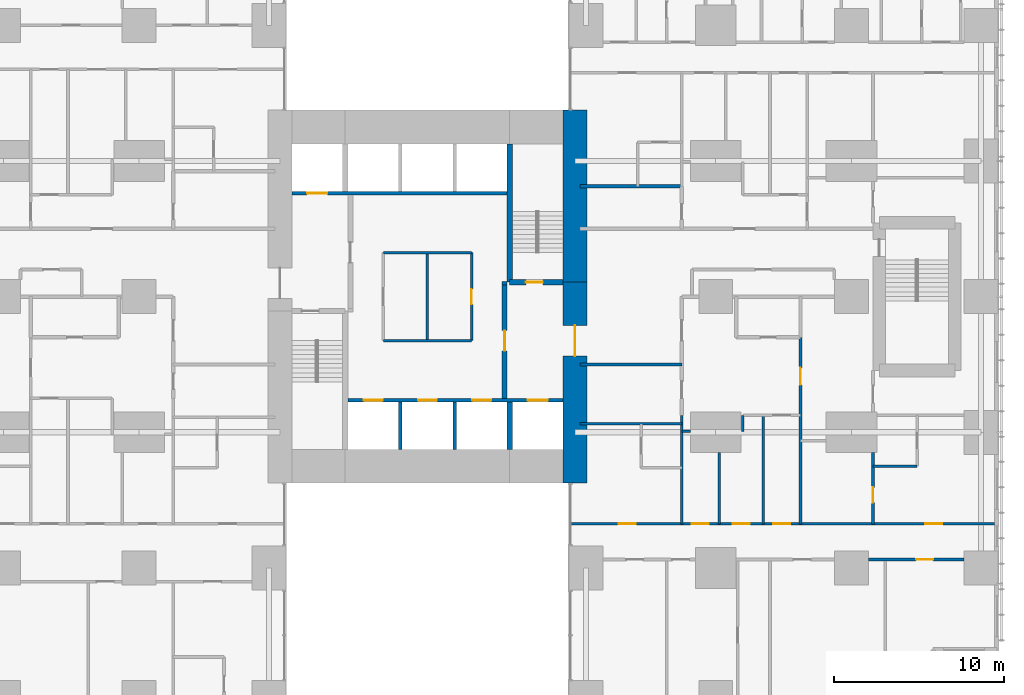
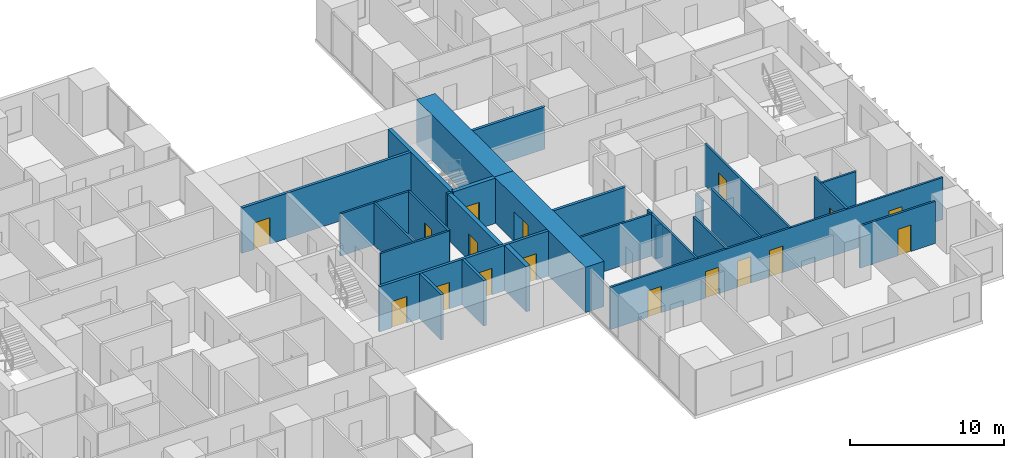
# One storey, part 15 of 21: 28 walls, 17 doors, 17 openings.
"""IFC4 building model written with IfcOpenShell, lengths in metres."""

from ifc_helpers import new_model, si_unit, direction, frame, frame_2d, origin, place, context, subcontext, project, spatial, rectangle, extrude, material, layer, layer_set, type_object, element, fill, save


model = new_model("IFC4")

# Units and contexts
model_context = context("Model", 3, precision=1e-05, world=origin(), true_north=direction((0.0, 1.0)))
body_context = subcontext(model_context, "Body", "Model", "MODEL_VIEW")
ifc_project = project(units=[si_unit("LENGTHUNIT", "METRE"), si_unit("AREAUNIT", "SQUARE_METRE"), si_unit("VOLUMEUNIT", "CUBIC_METRE"), si_unit("PLANEANGLEUNIT", "RADIAN"), si_unit("MASSUNIT", "GRAM", prefix="KILO")], contexts=[model_context])

# Site, building, storey
site_placement = place(None, origin())
site = spatial("IfcSite", under=ifc_project, at=site_placement, CompositionType="ELEMENT")
building_placement = place(site_placement, origin())
building = spatial("IfcBuilding", under=site, at=building_placement, Name="Cleftline Residences", CompositionType="ELEMENT")
storey_placement = place(building_placement, frame((0.0, 0.0, 65.60009765625)))
storey = spatial("IfcBuildingStorey", under=building, at=storey_placement, Name="L16", CompositionType="ELEMENT", Elevation=65.60009765625)

# Wall, opening, door
ifc_material_1 = material(Name="Concrete B70", Category="concrete")
ifc_layer_1 = layer(ifc_material_1, 1.39990234375)
ifc_layer_set_1 = layer_set([ifc_layer_1], Name="CORE WALL 1400")
wall_type_1 = type_object("IfcWallType", Name="CORE WALL 1400", PredefinedType="SHEAR", material=ifc_layer_set_1)
wall_1_placement = place(storey_placement, frame((41.699951171875, 13.0, 0.0), z_axis=(0.0, 0.0, 1.0), x_axis=(0.0, 1.0, 0.0)))
wall_1 = element("IfcWall", 1, at=wall_1_placement, inside=storey, type_object=wall_type_1, Name="Core wall E", PredefinedType="SHEAR", context=body_context, shape_type="SweptSolid", body=[
    extrude(rectangle(XDim=11.85009765625, YDim=1.39990234375, at=frame_2d((5.925048828125, 0.0))), origin(), (0.0, 0.0, 1.0), 3.599853515625),
])
opening_1_placement = place(wall_1_placement, frame((7.5, 0.0, 0.0)))
opening_1 = element("IfcOpeningElement", 2, at=opening_1_placement, cuts=wall_1, Name="Opening D7", PredefinedType="OPENING", context=body_context, shape_type="SweptSolid", body=[
    extrude(rectangle(XDim=1.800048828125, YDim=2.39990234375, at=frame_2d((0.89990234375, 1.199951171875))), frame((0.0, 0.7099609375, 0.0), z_axis=(0.0, -1.0, 0.0), x_axis=(1.0, 0.0, 0.0)), (0.0, 0.0, 1.0), 1.419921875),
])
ifc_material_2 = material(Name="Steel", Category="steel")
door_type_1 = type_object("IfcDoorType", Name="WING DOOR 1800X2400", OperationType="DOUBLE_DOOR_DOUBLE_SWING", PredefinedType="DOOR", material=ifc_material_2)
door_1_placement = place(opening_1_placement, origin())
door_1 = element("IfcDoor", 3, at=door_1_placement, inside=storey, type_object=door_type_1, Name="East wing door", OperationType="DOUBLE_DOOR_DOUBLE_SWING", OverallHeight=2.39990234375, OverallWidth=1.800048828125, PredefinedType="DOOR", context=body_context, shape_type="SweptSolid", body=[
    extrude(rectangle(XDim=1.800048828125, YDim=2.39990234375, at=frame_2d((0.89990234375, 1.199951171875))), frame((0.0, 0.02490234375, 0.0), z_axis=(0.0, -1.0, 0.0), x_axis=(1.0, 0.0, 0.0)), (0.0, 0.0, 1.0), 0.050048828125),
])
fill(opening_1, door_1)

# Walls
wall_2_placement = place(storey_placement, frame((41.699951171875, 24.85009765625, 0.0), z_axis=(0.0, 0.0, 1.0), x_axis=(0.0, 1.0, 0.0)))
element("IfcWall", 4, at=wall_2_placement, inside=storey, type_object=wall_type_1, Name="Core wall E1", PredefinedType="SHEAR", context=body_context, shape_type="SweptSolid", body=[
    extrude(rectangle(XDim=10.14990234375, YDim=1.39990234375, at=frame_2d((5.074951171875, 0.0))), origin(), (0.0, 0.0, 1.0), 3.599853515625),
])
ifc_material_3 = material(Name="Concrete B70", Category="concrete")
ifc_layer_2 = layer(ifc_material_3, 0.300048828125)
ifc_layer_set_2 = layer_set([ifc_layer_2], Name="CORE WALL 300")
wall_type_2 = type_object("IfcWallType", Name="CORE WALL 300", PredefinedType="SHEAR", material=ifc_layer_set_2)
wall_3_placement = place(storey_placement, frame((37.85009765625, 24.85009765625, 0.0), z_axis=(0.0, 0.0, 1.0), x_axis=(0.0, 1.0, 0.0)))
element("IfcWall", 5, at=wall_3_placement, inside=storey, type_object=wall_type_2, Name="Core wall SB-W", PredefinedType="SHEAR", context=body_context, shape_type="SweptSolid", body=[
    extrude(rectangle(XDim=8.14990234375, YDim=0.300048828125, at=frame_2d((4.074951171875, 0.0))), origin(), (0.0, 0.0, 1.0), 3.599853515625),
])

# Wall, opening, door
wall_4_placement = place(storey_placement, frame((37.85009765625, 24.85009765625, 0.0), z_axis=(0.0, 0.0, 1.0), x_axis=(1.0, 0.0, 0.0)))
wall_4 = element("IfcWall", 6, at=wall_4_placement, inside=storey, type_object=wall_type_2, Name="Core wall SB-S", PredefinedType="SHEAR", context=body_context, shape_type="SweptSolid", body=[
    extrude(rectangle(XDim=3.14990234375, YDim=0.300048828125, at=frame_2d((1.574951171875, 0.0))), origin(), (0.0, 0.0, 1.0), 3.599853515625),
])
opening_2_placement = place(wall_4_placement, frame((0.949951171875, 0.0, 0.0)))
opening_2 = element("IfcOpeningElement", 7, at=opening_2_placement, cuts=wall_4, Name="Opening D5", PredefinedType="OPENING", context=body_context, shape_type="SweptSolid", body=[
    extrude(rectangle(XDim=1.0, YDim=2.10009765625, at=frame_2d((0.5, 1.050048828125))), frame((0.0, 0.159912109375, 0.0), z_axis=(0.0, -1.0, 0.0), x_axis=(1.0, 0.0, 0.0)), (0.0, 0.0, 1.0), 0.320068359375),
])
ifc_material_4 = material(Name="Steel", Category="steel")
door_type_2 = type_object("IfcDoorType", Name="STAIR DOOR 1000X2100", OperationType="SINGLE_SWING_LEFT", PredefinedType="DOOR", material=ifc_material_4)
door_2_placement = place(opening_2_placement, origin())
door_2 = element("IfcDoor", 8, at=door_2_placement, inside=storey, type_object=door_type_2, Name="Stair B door", OperationType="SINGLE_SWING_RIGHT", OverallHeight=2.10009765625, OverallWidth=1.0, PredefinedType="DOOR", context=body_context, shape_type="SweptSolid", body=[
    extrude(rectangle(XDim=1.0, YDim=2.10009765625, at=frame_2d((0.5, 1.050048828125))), frame((0.0, 0.02490234375, 0.0), z_axis=(0.0, -1.0, 0.0), x_axis=(1.0, 0.0, 0.0)), (0.0, 0.0, 1.0), 0.050048828125),
])
fill(opening_2, door_2)

# Walls
wall_5_placement = place(storey_placement, frame((37.85009765625, 15.0, 0.0), z_axis=(0.0, 0.0, 1.0), x_axis=(0.0, 1.0, 0.0)))
element("IfcWall", 9, at=wall_5_placement, inside=storey, type_object=wall_type_2, Name="Lift shaft wall", PredefinedType="SHEAR", context=body_context, shape_type="SweptSolid", body=[
    extrude(rectangle(XDim=2.800048828125, YDim=0.300048828125, at=frame_2d((1.39990234375, 0.0))), origin(), (0.0, 0.0, 1.0), 3.599853515625),
])
ifc_material_5 = material(Name="Concrete blockwork, fire rated", Category="masonry")
ifc_layer_3 = layer(ifc_material_5, 0.199951171875)
ifc_layer_set_3 = layer_set([ifc_layer_3], Name="FIRE WALL 200")
wall_type_3 = type_object("IfcWallType", Name="FIRE WALL 200", PredefinedType="PARTITIONING", material=ifc_layer_set_3)
for number, where, z_axis, x_axis, name in (
    (10, (42.0, 20.0, 0.0), (0.0, 0.0, 1.0), (1.0, 0.0, 0.0), "Fire separating wall"),
    (11, (42.0, 30.5, 0.0), (0.0, 0.0, 1.0), (1.0, 0.0, 0.0), "Fire separating wall"),
):
    element("IfcWall", number, at=place(storey_placement, frame(where, z_axis=z_axis, x_axis=x_axis)), inside=storey, type_object=wall_type_3, Name=name, PredefinedType="PARTITIONING", context=body_context, shape_type="SweptSolid", body=[
        extrude(rectangle(XDim=6.0, YDim=0.199951171875, at=frame_2d((3.0, 0.0))), origin(), (0.0, 0.0, 1.0), 3.349853515625),
    ])
wall_6_placement = place(storey_placement, frame((37.39990234375, 24.800048828125, 0.0), z_axis=(0.0, 0.0, 1.0), x_axis=(1.0, 0.0, 0.0)))
element("IfcWall", 12, at=wall_6_placement, inside=storey, type_object=wall_type_3, Name="Fire separating wall", PredefinedType="PARTITIONING", context=body_context, shape_type="SweptSolid", body=[
    extrude(rectangle(XDim=0.300048828125, YDim=0.199951171875, at=frame_2d((0.14990234375, 0.0))), origin(), (0.0, 0.0, 1.0), 3.599853515625),
])

# Wall, opening, door
ifc_material_6 = material(Name="Gypsum board on steel studs", Category="steel")
ifc_layer_4 = layer(ifc_material_6, 0.14990234375)
ifc_layer_set_4 = layer_set([ifc_layer_4], Name="PARTITION 150")
wall_type_4 = type_object("IfcWallType", Name="PARTITION 150", PredefinedType="PARTITIONING", material=ifc_layer_set_4)
wall_7_placement = place(storey_placement, frame((59.0, 8.5, 0.0), z_axis=(0.0, 0.0, 1.0), x_axis=(1.0, 0.0, 0.0)))
wall_7 = element("IfcWall", 13, at=wall_7_placement, inside=storey, type_object=wall_type_4, Name="Partition", PredefinedType="PARTITIONING", context=body_context, shape_type="SweptSolid", body=[
    extrude(rectangle(XDim=5.64990234375, YDim=0.14990234375, at=frame_2d((2.824951171875, 0.0))), origin(), (0.0, 0.0, 1.0), 3.349853515625),
])
opening_3_placement = place(wall_7_placement, frame((2.824951171875, 0.0, 0.0)))
opening_3 = element("IfcOpeningElement", 14, at=opening_3_placement, cuts=wall_7, Name="Opening D2", PredefinedType="OPENING", context=body_context, shape_type="SweptSolid", body=[
    extrude(rectangle(XDim=1.0, YDim=2.10009765625, at=frame_2d((0.5, 1.050048828125))), frame((0.0, 0.0849609375, 0.0), z_axis=(0.0, -1.0, 0.0), x_axis=(1.0, 0.0, 0.0)), (0.0, 0.0, 1.0), 0.169921875),
])
ifc_material_7 = material(Name="Timber veneer on solid core", Category="wood")
door_type_3 = type_object("IfcDoorType", Name="DOOR 1000X2100", OperationType="SINGLE_SWING_LEFT", PredefinedType="DOOR", material=ifc_material_7)
door_3_placement = place(opening_3_placement, origin())
door_3 = element("IfcDoor", 15, at=door_3_placement, inside=storey, type_object=door_type_3, Name="Door to winter garden", OperationType="SINGLE_SWING_LEFT", OverallHeight=2.10009765625, OverallWidth=1.0, PredefinedType="DOOR", context=body_context, shape_type="SweptSolid", body=[
    extrude(rectangle(XDim=1.0, YDim=2.10009765625, at=frame_2d((0.5, 1.050048828125))), frame((0.0, 0.02490234375, 0.0), z_axis=(0.0, -1.0, 0.0), x_axis=(1.0, 0.0, 0.0)), (0.0, 0.0, 1.0), 0.050048828125),
])
fill(opening_3, door_3)

# Wall, openings, doors
wall_8_placement = place(storey_placement, frame((41.43896484375, 10.60009765625, 0.0), z_axis=(0.0, 0.0, 1.0), x_axis=(1.0, 0.0, 0.0)))
wall_8 = element("IfcWall", 16, at=wall_8_placement, inside=storey, type_object=wall_type_4, Name="Partition", PredefinedType="PARTITIONING", context=body_context, shape_type="SweptSolid", body=[
    extrude(rectangle(XDim=25.010986328125, YDim=0.14990234375, at=frame_2d((12.50537109375, 0.0))), origin(), (0.0, 0.0, 1.0), 3.349853515625),
])
opening_4_placement = place(wall_8_placement, frame((11.9609375, 0.0, 0.0)))
opening_4 = element("IfcOpeningElement", 17, at=opening_4_placement, cuts=wall_8, Name="Opening D2F30", PredefinedType="OPENING", context=body_context, shape_type="SweptSolid", body=[
    extrude(rectangle(XDim=1.0, YDim=2.10009765625, at=frame_2d((0.5, 1.050048828125))), frame((0.0, 0.0849609375, 0.0), z_axis=(0.0, -1.0, 0.0), x_axis=(1.0, 0.0, 0.0)), (0.0, 0.0, 1.0), 0.169921875),
])
opening_5_placement = place(wall_8_placement, frame((20.923583984375, 0.0, 0.0)))
opening_5 = element("IfcOpeningElement", 18, at=opening_5_placement, cuts=wall_8, Name="Opening D2F30", PredefinedType="OPENING", context=body_context, shape_type="SweptSolid", body=[
    extrude(rectangle(XDim=1.0, YDim=2.10009765625, at=frame_2d((0.5, 1.050048828125))), frame((0.0, 0.0849609375, 0.0), z_axis=(0.0, -1.0, 0.0), x_axis=(1.0, 0.0, 0.0)), (0.0, 0.0, 1.0), 0.169921875),
])
opening_6_placement = place(wall_8_placement, frame((9.56103515625, 0.0, 0.0)))
opening_6 = element("IfcOpeningElement", 19, at=opening_6_placement, cuts=wall_8, Name="Opening D2F30", PredefinedType="OPENING", context=body_context, shape_type="SweptSolid", body=[
    extrude(rectangle(XDim=1.0, YDim=2.10009765625, at=frame_2d((0.5, 1.050048828125))), frame((0.0, 0.0849609375, 0.0), z_axis=(0.0, -1.0, 0.0), x_axis=(1.0, 0.0, 0.0)), (0.0, 0.0, 1.0), 0.169921875),
])
opening_7_placement = place(wall_8_placement, frame((7.160888671875, 0.0, 0.0)))
opening_7 = element("IfcOpeningElement", 20, at=opening_7_placement, cuts=wall_8, Name="Opening D2F30", PredefinedType="OPENING", context=body_context, shape_type="SweptSolid", body=[
    extrude(rectangle(XDim=1.0, YDim=2.10009765625, at=frame_2d((0.5, 1.050048828125))), frame((0.0, 0.0849609375, 0.0), z_axis=(0.0, -1.0, 0.0), x_axis=(1.0, 0.0, 0.0)), (0.0, 0.0, 1.0), 0.169921875),
])
opening_8_placement = place(wall_8_placement, frame((2.8359375, 0.0, 0.0)))
opening_8 = element("IfcOpeningElement", 21, at=opening_8_placement, cuts=wall_8, Name="Opening D2F30", PredefinedType="OPENING", context=body_context, shape_type="SweptSolid", body=[
    extrude(rectangle(XDim=1.0, YDim=2.10009765625, at=frame_2d((0.5, 1.050048828125))), frame((0.0, 0.0849609375, 0.0), z_axis=(0.0, -1.0, 0.0), x_axis=(1.0, 0.0, 0.0)), (0.0, 0.0, 1.0), 0.169921875),
])
ifc_material_8 = material(Name="Timber veneer on solid core", Category="wood")
door_type_4 = type_object("IfcDoorType", Name="DOOR 1000X2100 EI 30", OperationType="SINGLE_SWING_LEFT", PredefinedType="DOOR", material=ifc_material_8)
door_4_placement = place(opening_4_placement, origin())
door_4 = element("IfcDoor", 22, at=door_4_placement, inside=storey, type_object=door_type_4, Name="Door to residence hall (gallery)", OperationType="SINGLE_SWING_RIGHT", OverallHeight=2.10009765625, OverallWidth=1.0, PredefinedType="DOOR", context=body_context, shape_type="SweptSolid", body=[
    extrude(rectangle(XDim=1.0, YDim=2.10009765625, at=frame_2d((0.5, 1.050048828125))), frame((0.0, 0.02490234375, 0.0), z_axis=(0.0, -1.0, 0.0), x_axis=(1.0, 0.0, 0.0)), (0.0, 0.0, 1.0), 0.050048828125),
])
fill(opening_4, door_4)
door_5_placement = place(opening_5_placement, origin())
door_5 = element("IfcDoor", 23, at=door_5_placement, inside=storey, type_object=door_type_4, Name="Door to master bedroom", OperationType="SINGLE_SWING_LEFT", OverallHeight=2.10009765625, OverallWidth=1.0, PredefinedType="DOOR", context=body_context, shape_type="SweptSolid", body=[
    extrude(rectangle(XDim=1.0, YDim=2.10009765625, at=frame_2d((0.5, 1.050048828125))), frame((0.0, 0.02490234375, 0.0), z_axis=(0.0, -1.0, 0.0), x_axis=(1.0, 0.0, 0.0)), (0.0, 0.0, 1.0), 0.050048828125),
])
fill(opening_5, door_5)
door_6_placement = place(opening_6_placement, origin())
door_6 = element("IfcDoor", 24, at=door_6_placement, inside=storey, type_object=door_type_4, Name="Door to dining room", OperationType="SINGLE_SWING_RIGHT", OverallHeight=2.10009765625, OverallWidth=1.0, PredefinedType="DOOR", context=body_context, shape_type="SweptSolid", body=[
    extrude(rectangle(XDim=1.0, YDim=2.10009765625, at=frame_2d((0.5, 1.050048828125))), frame((0.0, 0.02490234375, 0.0), z_axis=(0.0, -1.0, 0.0), x_axis=(1.0, 0.0, 0.0)), (0.0, 0.0, 1.0), 0.050048828125),
])
fill(opening_6, door_6)
door_7_placement = place(opening_7_placement, origin())
door_7 = element("IfcDoor", 25, at=door_7_placement, inside=storey, type_object=door_type_4, Name="Door to show kitchen", OperationType="SINGLE_SWING_RIGHT", OverallHeight=2.10009765625, OverallWidth=1.0, PredefinedType="DOOR", context=body_context, shape_type="SweptSolid", body=[
    extrude(rectangle(XDim=1.0, YDim=2.10009765625, at=frame_2d((0.5, 1.050048828125))), frame((0.0, 0.02490234375, 0.0), z_axis=(0.0, -1.0, 0.0), x_axis=(1.0, 0.0, 0.0)), (0.0, 0.0, 1.0), 0.050048828125),
])
fill(opening_7, door_7)
door_8_placement = place(opening_8_placement, origin())
door_8 = element("IfcDoor", 26, at=door_8_placement, inside=storey, type_object=door_type_4, Name="Door to bedroom 3", OperationType="SINGLE_SWING_RIGHT", OverallHeight=2.10009765625, OverallWidth=1.0, PredefinedType="DOOR", context=body_context, shape_type="SweptSolid", body=[
    extrude(rectangle(XDim=1.0, YDim=2.10009765625, at=frame_2d((0.5, 1.050048828125))), frame((0.0, 0.02490234375, 0.0), z_axis=(0.0, -1.0, 0.0), x_axis=(1.0, 0.0, 0.0)), (0.0, 0.0, 1.0), 0.050048828125),
])
fill(opening_8, door_8)

# Walls
wall_9_placement = place(storey_placement, frame((59.27490234375, 14.0, 0.0), z_axis=(0.0, 0.0, 1.0), x_axis=(1.0, 0.0, 0.0)))
element("IfcWall", 27, at=wall_9_placement, inside=storey, type_object=wall_type_4, Name="Partition", PredefinedType="PARTITIONING", context=body_context, shape_type="SweptSolid", body=[
    extrude(rectangle(XDim=2.60009765625, YDim=0.14990234375, at=frame_2d((1.300048828125, 0.0))), origin(), (0.0, 0.0, 1.0), 3.349853515625),
])
wall_10_placement = place(storey_placement, frame((48.0, 16.050048828125, 0.0), z_axis=(0.0, 0.0, 1.0), x_axis=(1.0, 0.0, 0.0)))
element("IfcWall", 28, at=wall_10_placement, inside=storey, type_object=wall_type_4, Name="Partition", PredefinedType="PARTITIONING", context=body_context, shape_type="SweptSolid", body=[
    extrude(rectangle(XDim=0.5, YDim=0.14990234375, at=frame_2d((0.25, 0.0))), origin(), (0.0, 0.0, 1.0), 2.6337890625),
])
wall_11_placement = place(storey_placement, frame((42.0, 16.5, 0.0), z_axis=(0.0, 0.0, 1.0), x_axis=(1.0, 0.0, 0.0)))
element("IfcWall", 29, at=wall_11_placement, inside=storey, type_object=wall_type_4, Name="Partition", PredefinedType="PARTITIONING", context=body_context, shape_type="SweptSolid", body=[
    extrude(rectangle(XDim=6.0, YDim=0.14990234375, at=frame_2d((3.0, 0.0))), origin(), (0.0, 0.0, 1.0), 3.349853515625),
])
wall_12_placement = place(storey_placement, frame((48.0, 10.60009765625, 0.0), z_axis=(0.0, 0.0, 1.0), x_axis=(0.0, 1.0, 0.0)))
element("IfcWall", 30, at=wall_12_placement, inside=storey, type_object=wall_type_4, Name="Partition", PredefinedType="PARTITIONING", context=body_context, shape_type="SweptSolid", body=[
    extrude(rectangle(XDim=6.39990234375, YDim=0.14990234375, at=frame_2d((3.199951171875, 0.0))), origin(), (0.0, 0.0, 1.0), 3.349853515625),
])
wall_13_placement = place(storey_placement, frame((50.199951171875, 10.60009765625, 0.0), z_axis=(0.0, 0.0, 1.0), x_axis=(0.0, 1.0, 0.0)))
element("IfcWall", 31, at=wall_13_placement, inside=storey, type_object=wall_type_4, Name="Partition", PredefinedType="PARTITIONING", context=body_context, shape_type="SweptSolid", body=[
    extrude(rectangle(XDim=4.199951171875, YDim=0.14990234375, at=frame_2d((2.10009765625, 0.0))), origin(), (0.0, 0.0, 1.0), 3.349853515625),
])
wall_14_placement = place(storey_placement, frame((51.60009765625, 16.050048828125, 0.0), z_axis=(0.0, 0.0, 1.0), x_axis=(0.0, 1.0, 0.0)))
element("IfcWall", 32, at=wall_14_placement, inside=storey, type_object=wall_type_4, Name="Partition", PredefinedType="PARTITIONING", context=body_context, shape_type="SweptSolid", body=[
    extrude(rectangle(XDim=0.949951171875, YDim=0.14990234375, at=frame_2d((0.47509765625, 0.0))), origin(), (0.0, 0.0, 1.0), 3.349853515625),
])
wall_15_placement = place(storey_placement, frame((52.800048828125, 10.60009765625, 0.0), z_axis=(0.0, 0.0, 1.0), x_axis=(0.0, 1.0, 0.0)))
element("IfcWall", 33, at=wall_15_placement, inside=storey, type_object=wall_type_4, Name="Partition", PredefinedType="PARTITIONING", context=body_context, shape_type="SweptSolid", body=[
    extrude(rectangle(XDim=6.39990234375, YDim=0.14990234375, at=frame_2d((3.199951171875, 0.0))), origin(), (0.0, 0.0, 1.0), 3.349853515625),
])

# Wall, opening, door
wall_16_placement = place(storey_placement, frame((55.0, 10.60009765625, 0.0), z_axis=(0.0, 0.0, 1.0), x_axis=(0.0, 1.0, 0.0)))
wall_16 = element("IfcWall", 34, at=wall_16_placement, inside=storey, type_object=wall_type_4, Name="Partition", PredefinedType="PARTITIONING", context=body_context, shape_type="SweptSolid", body=[
    extrude(rectangle(XDim=11.0, YDim=0.14990234375, at=frame_2d((5.5, 0.0))), origin(), (0.0, 0.0, 1.0), 3.349853515625),
])
opening_9_placement = place(wall_16_placement, frame((8.199951171875, 0.0, 0.0)))
opening_9 = element("IfcOpeningElement", 35, at=opening_9_placement, cuts=wall_16, Name="Opening D2F30", PredefinedType="OPENING", context=body_context, shape_type="SweptSolid", body=[
    extrude(rectangle(XDim=1.0, YDim=2.10009765625, at=frame_2d((0.5, 1.050048828125))), frame((0.0, 0.0849609375, 0.0), z_axis=(0.0, -1.0, 0.0), x_axis=(1.0, 0.0, 0.0)), (0.0, 0.0, 1.0), 0.169921875),
])
door_9_placement = place(opening_9_placement, origin())
door_9 = element("IfcDoor", 36, at=door_9_placement, inside=storey, type_object=door_type_4, Name="Door to residence lobby", OperationType="SINGLE_SWING_LEFT", OverallHeight=2.10009765625, OverallWidth=1.0, PredefinedType="DOOR", context=body_context, shape_type="SweptSolid", body=[
    extrude(rectangle(XDim=1.0, YDim=2.10009765625, at=frame_2d((0.5, 1.050048828125))), frame((0.0, 0.02490234375, 0.0), z_axis=(0.0, -1.0, 0.0), x_axis=(1.0, 0.0, 0.0)), (0.0, 0.0, 1.0), 0.050048828125),
])
fill(opening_9, door_9)

wall_17_placement = place(storey_placement, frame((59.27490234375, 10.60009765625, 0.0), z_axis=(0.0, 0.0, 1.0), x_axis=(0.0, 1.0, 0.0)))
wall_17 = element("IfcWall", 37, at=wall_17_placement, inside=storey, type_object=wall_type_4, Name="Partition", PredefinedType="PARTITIONING", context=body_context, shape_type="SweptSolid", body=[
    extrude(rectangle(XDim=4.199951171875, YDim=0.14990234375, at=frame_2d((2.10009765625, 0.0))), origin(), (0.0, 0.0, 1.0), 3.349853515625),
])
opening_10_placement = place(wall_17_placement, frame((1.25, 0.0, 0.0)))
opening_10 = element("IfcOpeningElement", 38, at=opening_10_placement, cuts=wall_17, Name="Opening D1", PredefinedType="OPENING", context=body_context, shape_type="SweptSolid", body=[
    extrude(rectangle(XDim=0.89990234375, YDim=2.10009765625, at=frame_2d((0.449951171875, 1.050048828125))), frame((0.0, 0.0849609375, 0.0), z_axis=(0.0, -1.0, 0.0), x_axis=(1.0, 0.0, 0.0)), (0.0, 0.0, 1.0), 0.169921875),
])
ifc_material_9 = material(Name="Timber veneer on solid core", Category="wood")
door_type_5 = type_object("IfcDoorType", Name="DOOR 900X2100", OperationType="SINGLE_SWING_LEFT", PredefinedType="DOOR", material=ifc_material_9)
door_10_placement = place(opening_10_placement, origin())
door_10 = element("IfcDoor", 39, at=door_10_placement, inside=storey, type_object=door_type_5, Name="Door to master dressing room", OperationType="SINGLE_SWING_RIGHT", OverallHeight=2.10009765625, OverallWidth=0.89990234375, PredefinedType="DOOR", context=body_context, shape_type="SweptSolid", body=[
    extrude(rectangle(XDim=0.89990234375, YDim=2.10009765625, at=frame_2d((0.449951171875, 1.050048828125))), frame((0.0, 0.02490234375, 0.0), z_axis=(0.0, -1.0, 0.0), x_axis=(1.0, 0.0, 0.0)), (0.0, 0.0, 1.0), 0.050048828125),
])
fill(opening_10, door_10)

# Walls
ifc_material_10 = material(Name="Fire-resisting gypsum board on steel studs", Category="steel")
ifc_layer_5 = layer(ifc_material_10, 0.14990234375)
ifc_layer_set_5 = layer_set([ifc_layer_5], Name="PARTITION 150 EI 60")
wall_type_5 = type_object("IfcWallType", Name="PARTITION 150 EI 60", PredefinedType="PARTITIONING", material=ifc_layer_set_5)
for number, where, z_axis, x_axis, name in (
    (40, (30.39990234375, 21.39990234375, 0.0), (0.0, 0.0, 1.0), (1.0, 0.0, 0.0), "Core room partition"),
    (41, (30.39990234375, 26.60009765625, 0.0), (0.0, 0.0, 1.0), (1.0, 0.0, 0.0), "Core room partition"),
):
    element("IfcWall", number, at=place(storey_placement, frame(where, z_axis=z_axis, x_axis=x_axis)), inside=storey, type_object=wall_type_5, Name=name, PredefinedType="PARTITIONING", context=body_context, shape_type="SweptSolid", body=[
        extrude(rectangle(XDim=5.2001953125, YDim=0.14990234375, at=frame_2d((2.60009765625, 0.0))), origin(), (0.0, 0.0, 1.0), 3.349853515625),
    ])

# Wall, opening, door
wall_18_placement = place(storey_placement, frame((35.60009765625, 21.39990234375, 0.0), z_axis=(0.0, 0.0, 1.0), x_axis=(0.0, 1.0, 0.0)))
wall_18 = element("IfcWall", 42, at=wall_18_placement, inside=storey, type_object=wall_type_5, Name="Core room partition", PredefinedType="PARTITIONING", context=body_context, shape_type="SweptSolid", body=[
    extrude(rectangle(XDim=5.2001953125, YDim=0.14990234375, at=frame_2d((2.60009765625, 0.0))), origin(), (0.0, 0.0, 1.0), 3.349853515625),
])
opening_11_placement = place(wall_18_placement, frame((2.14990234375, 0.0, 0.0)))
opening_11 = element("IfcOpeningElement", 43, at=opening_11_placement, cuts=wall_18, Name="Opening D1F30", PredefinedType="OPENING", context=body_context, shape_type="SweptSolid", body=[
    extrude(rectangle(XDim=0.89990234375, YDim=2.10009765625, at=frame_2d((0.449951171875, 1.050048828125))), frame((0.0, 0.0849609375, 0.0), z_axis=(0.0, -1.0, 0.0), x_axis=(1.0, 0.0, 0.0)), (0.0, 0.0, 1.0), 0.169921875),
])
ifc_material_11 = material(Name="Timber veneer on solid core", Category="wood")
door_type_6 = type_object("IfcDoorType", Name="DOOR 900X2100 EI 30", OperationType="SINGLE_SWING_LEFT", PredefinedType="DOOR", material=ifc_material_11)
door_11_placement = place(opening_11_placement, origin())
door_11 = element("IfcDoor", 44, at=door_11_placement, inside=storey, type_object=door_type_6, Name="Door to cleaner's store", OperationType="SINGLE_SWING_LEFT", OverallHeight=2.10009765625, OverallWidth=0.89990234375, PredefinedType="DOOR", context=body_context, shape_type="SweptSolid", body=[
    extrude(rectangle(XDim=0.89990234375, YDim=2.10009765625, at=frame_2d((0.449951171875, 1.050048828125))), frame((0.0, 0.02490234375, 0.0), z_axis=(0.0, -1.0, 0.0), x_axis=(1.0, 0.0, 0.0)), (0.0, 0.0, 1.0), 0.050048828125),
])
fill(opening_11, door_11)

# Wall
wall_19_placement = place(storey_placement, frame((33.0, 21.39990234375, 0.0), z_axis=(0.0, 0.0, 1.0), x_axis=(0.0, 1.0, 0.0)))
element("IfcWall", 45, at=wall_19_placement, inside=storey, type_object=wall_type_5, Name="Core room partition", PredefinedType="PARTITIONING", context=body_context, shape_type="SweptSolid", body=[
    extrude(rectangle(XDim=5.2001953125, YDim=0.14990234375, at=frame_2d((2.60009765625, 0.0))), origin(), (0.0, 0.0, 1.0), 3.349853515625),
])

# Wall, openings, doors
ifc_material_12 = material(Name="Concrete blockwork, fire rated", Category="masonry")
ifc_layer_6 = layer(ifc_material_12, 0.199951171875)
ifc_layer_set_6 = layer_set([ifc_layer_6], Name="SHAFT WALL 200")
wall_type_6 = type_object("IfcWallType", Name="SHAFT WALL 200", PredefinedType="PARTITIONING", material=ifc_layer_set_6)
wall_20_placement = place(storey_placement, frame((28.300048828125, 17.89990234375, 0.0), z_axis=(0.0, 0.0, 1.0), x_axis=(1.0, 0.0, 0.0)))
wall_20 = element("IfcWall", 46, at=wall_20_placement, inside=storey, type_object=wall_type_6, Name="Lift shaft wall", PredefinedType="PARTITIONING", context=body_context, shape_type="SweptSolid", body=[
    extrude(rectangle(XDim=12.699951171875, YDim=0.199951171875, at=frame_2d((6.35009765625, 0.0))), origin(), (0.0, 0.0, 1.0), 3.599853515625),
])
opening_12_placement = place(wall_20_placement, frame((0.949951171875, 0.0, 0.0)))
opening_12 = element("IfcOpeningElement", 47, at=opening_12_placement, cuts=wall_20, Name="Opening LD1", PredefinedType="OPENING", context=body_context, shape_type="SweptSolid", body=[
    extrude(rectangle(XDim=1.10009765625, YDim=2.10009765625, at=frame_2d((0.550048828125, 1.050048828125))), frame((0.0, 0.10986328125, 0.0), z_axis=(0.0, -1.0, 0.0), x_axis=(1.0, 0.0, 0.0)), (0.0, 0.0, 1.0), 0.219970703125),
])
opening_13_placement = place(wall_20_placement, frame((4.14990234375, 0.0, 0.0)))
opening_13 = element("IfcOpeningElement", 48, at=opening_13_placement, cuts=wall_20, Name="Opening LD1", PredefinedType="OPENING", context=body_context, shape_type="SweptSolid", body=[
    extrude(rectangle(XDim=1.10009765625, YDim=2.10009765625, at=frame_2d((0.550048828125, 1.050048828125))), frame((0.0, 0.10986328125, 0.0), z_axis=(0.0, -1.0, 0.0), x_axis=(1.0, 0.0, 0.0)), (0.0, 0.0, 1.0), 0.219970703125),
])
opening_14_placement = place(wall_20_placement, frame((7.35009765625, 0.0, 0.0)))
opening_14 = element("IfcOpeningElement", 49, at=opening_14_placement, cuts=wall_20, Name="Opening LD1", PredefinedType="OPENING", context=body_context, shape_type="SweptSolid", body=[
    extrude(rectangle(XDim=1.10009765625, YDim=2.10009765625, at=frame_2d((0.550048828125, 1.050048828125))), frame((0.0, 0.10986328125, 0.0), z_axis=(0.0, -1.0, 0.0), x_axis=(1.0, 0.0, 0.0)), (0.0, 0.0, 1.0), 0.219970703125),
])
opening_15_placement = place(wall_20_placement, frame((10.60009765625, 0.0, 0.0)))
opening_15 = element("IfcOpeningElement", 50, at=opening_15_placement, cuts=wall_20, Name="Opening LD2", PredefinedType="OPENING", context=body_context, shape_type="SweptSolid", body=[
    extrude(rectangle(XDim=1.199951171875, YDim=2.10009765625, at=frame_2d((0.60009765625, 1.050048828125))), frame((0.0, 0.10986328125, 0.0), z_axis=(0.0, -1.0, 0.0), x_axis=(1.0, 0.0, 0.0)), (0.0, 0.0, 1.0), 0.219970703125),
])
ifc_material_13 = material(Name="Steel", Category="steel")
door_type_7 = type_object("IfcDoorType", Name="FIREFIGHTING LIFT LANDING DOOR 1200X2100", OperationType="SLIDING_TO_LEFT", PredefinedType="DOOR", material=ifc_material_13)
door_12_placement = place(opening_15_placement, origin())
door_12 = element("IfcDoor", 51, at=door_12_placement, inside=storey, type_object=door_type_7, Name="Lift FL2 landing door", OperationType="SLIDING_TO_LEFT", OverallHeight=2.10009765625, OverallWidth=1.199951171875, PredefinedType="DOOR", context=body_context, shape_type="SweptSolid", body=[
    extrude(rectangle(XDim=1.199951171875, YDim=2.10009765625, at=frame_2d((0.60009765625, 1.050048828125))), frame((0.0, 0.02490234375, 0.0), z_axis=(0.0, -1.0, 0.0), x_axis=(1.0, 0.0, 0.0)), (0.0, 0.0, 1.0), 0.050048828125),
])
fill(opening_15, door_12)
ifc_material_14 = material(Name="Steel", Category="steel")
door_type_8 = type_object("IfcDoorType", Name="LIFT LANDING DOOR 1100X2100", OperationType="SLIDING_TO_LEFT", PredefinedType="DOOR", material=ifc_material_14)
door_13_placement = place(opening_12_placement, origin())
door_13 = element("IfcDoor", 52, at=door_13_placement, inside=storey, type_object=door_type_8, Name="Lift P1 landing door", OperationType="SLIDING_TO_LEFT", OverallHeight=2.10009765625, OverallWidth=1.10009765625, PredefinedType="DOOR", context=body_context, shape_type="SweptSolid", body=[
    extrude(rectangle(XDim=1.10009765625, YDim=2.10009765625, at=frame_2d((0.550048828125, 1.050048828125))), frame((0.0, 0.02490234375, 0.0), z_axis=(0.0, -1.0, 0.0), x_axis=(1.0, 0.0, 0.0)), (0.0, 0.0, 1.0), 0.050048828125),
])
fill(opening_12, door_13)
door_14_placement = place(opening_13_placement, origin())
door_14 = element("IfcDoor", 53, at=door_14_placement, inside=storey, type_object=door_type_8, Name="Lift P2 landing door", OperationType="SLIDING_TO_LEFT", OverallHeight=2.10009765625, OverallWidth=1.10009765625, PredefinedType="DOOR", context=body_context, shape_type="SweptSolid", body=[
    extrude(rectangle(XDim=1.10009765625, YDim=2.10009765625, at=frame_2d((0.550048828125, 1.050048828125))), frame((0.0, 0.02490234375, 0.0), z_axis=(0.0, -1.0, 0.0), x_axis=(1.0, 0.0, 0.0)), (0.0, 0.0, 1.0), 0.050048828125),
])
fill(opening_13, door_14)
door_15_placement = place(opening_14_placement, origin())
door_15 = element("IfcDoor", 54, at=door_15_placement, inside=storey, type_object=door_type_8, Name="Lift P3 landing door", OperationType="SLIDING_TO_LEFT", OverallHeight=2.10009765625, OverallWidth=1.10009765625, PredefinedType="DOOR", context=body_context, shape_type="SweptSolid", body=[
    extrude(rectangle(XDim=1.10009765625, YDim=2.10009765625, at=frame_2d((0.550048828125, 1.050048828125))), frame((0.0, 0.02490234375, 0.0), z_axis=(0.0, -1.0, 0.0), x_axis=(1.0, 0.0, 0.0)), (0.0, 0.0, 1.0), 0.050048828125),
])
fill(opening_14, door_15)

# Wall, opening, door
wall_21_placement = place(storey_placement, frame((25.0, 30.10009765625, 0.0), z_axis=(0.0, 0.0, 1.0), x_axis=(1.0, 0.0, 0.0)))
wall_21 = element("IfcWall", 55, at=wall_21_placement, inside=storey, type_object=wall_type_6, Name="Lift shaft wall", PredefinedType="PARTITIONING", context=body_context, shape_type="SweptSolid", body=[
    extrude(rectangle(XDim=12.699951171875, YDim=0.199951171875, at=frame_2d((6.35009765625, 0.0))), origin(), (0.0, 0.0, 1.0), 3.599853515625),
])
opening_16_placement = place(wall_21_placement, frame((0.89990234375, 0.0, 0.0)))
opening_16 = element("IfcOpeningElement", 56, at=opening_16_placement, cuts=wall_21, Name="Opening LD2", PredefinedType="OPENING", context=body_context, shape_type="SweptSolid", body=[
    extrude(rectangle(XDim=1.199951171875, YDim=2.10009765625, at=frame_2d((0.60009765625, 1.050048828125))), frame((0.0, 0.10986328125, 0.0), z_axis=(0.0, -1.0, 0.0), x_axis=(1.0, 0.0, 0.0)), (0.0, 0.0, 1.0), 0.219970703125),
])
door_16_placement = place(opening_16_placement, origin())
door_16 = element("IfcDoor", 57, at=door_16_placement, inside=storey, type_object=door_type_7, Name="Lift FL1 landing door", OperationType="SLIDING_TO_LEFT", OverallHeight=2.10009765625, OverallWidth=1.199951171875, PredefinedType="DOOR", context=body_context, shape_type="SweptSolid", body=[
    extrude(rectangle(XDim=1.199951171875, YDim=2.10009765625, at=frame_2d((0.60009765625, 1.050048828125))), frame((0.0, 0.02490234375, 0.0), z_axis=(0.0, -1.0, 0.0), x_axis=(1.0, 0.0, 0.0)), (0.0, 0.0, 1.0), 0.050048828125),
])
fill(opening_16, door_16)

# Walls
for number, where, z_axis, x_axis, name in (
    (58, (31.39990234375, 15.0, 0.0), (0.0, 0.0, 1.0), (0.0, 1.0, 0.0), "Lift shaft wall"),
    (59, (34.60009765625, 15.0, 0.0), (0.0, 0.0, 1.0), (0.0, 1.0, 0.0), "Lift shaft wall"),
):
    element("IfcWall", number, at=place(storey_placement, frame(where, z_axis=z_axis, x_axis=x_axis)), inside=storey, type_object=wall_type_6, Name=name, PredefinedType="PARTITIONING", context=body_context, shape_type="SweptSolid", body=[
        extrude(rectangle(XDim=2.800048828125, YDim=0.199951171875, at=frame_2d((1.39990234375, 0.0))), origin(), (0.0, 0.0, 1.0), 3.599853515625),
    ])

# Wall, opening, door
ifc_material_15 = material(Name="Concrete blockwork, fire rated", Category="masonry")
ifc_layer_7 = layer(ifc_material_15, 0.300048828125)
ifc_layer_set_7 = layer_set([ifc_layer_7], Name="STAIR LOBBY WALL 300")
wall_type_7 = type_object("IfcWallType", Name="STAIR LOBBY WALL 300", PredefinedType="PARTITIONING", material=ifc_layer_set_7)
wall_22_placement = place(storey_placement, frame((37.550048828125, 18.0, 0.0), z_axis=(0.0, 0.0, 1.0), x_axis=(0.0, 1.0, 0.0)))
wall_22 = element("IfcWall", 60, at=wall_22_placement, inside=storey, type_object=wall_type_7, Name="Stair and lobby wall FB-W", PredefinedType="PARTITIONING", context=body_context, shape_type="SweptSolid", body=[
    extrude(rectangle(XDim=6.699951171875, YDim=0.300048828125, at=frame_2d((3.35009765625, 0.0))), origin(), (0.0, 0.0, 1.0), 3.599853515625),
])
opening_17_placement = place(wall_22_placement, frame((2.800048828125, 0.0, 0.0)))
opening_17 = element("IfcOpeningElement", 61, at=opening_17_placement, cuts=wall_22, Name="Opening D6", PredefinedType="OPENING", context=body_context, shape_type="SweptSolid", body=[
    extrude(rectangle(XDim=1.199951171875, YDim=2.10009765625, at=frame_2d((0.60009765625, 1.050048828125))), frame((0.0, 0.159912109375, 0.0), z_axis=(0.0, -1.0, 0.0), x_axis=(1.0, 0.0, 0.0)), (0.0, 0.0, 1.0), 0.320068359375),
])
ifc_material_16 = material(Name="Steel", Category="steel")
door_type_9 = type_object("IfcDoorType", Name="LOBBY DOOR 1200X2100", OperationType="SINGLE_SWING_RIGHT", PredefinedType="DOOR", material=ifc_material_16)
door_17_placement = place(opening_17_placement, origin())
door_17 = element("IfcDoor", 62, at=door_17_placement, inside=storey, type_object=door_type_9, Name="Firefighting lobby B door", OperationType="SINGLE_SWING_LEFT", OverallHeight=2.10009765625, OverallWidth=1.199951171875, PredefinedType="DOOR", context=body_context, shape_type="SweptSolid", body=[
    extrude(rectangle(XDim=1.199951171875, YDim=2.10009765625, at=frame_2d((0.60009765625, 1.050048828125))), frame((0.0, 0.02490234375, 0.0), z_axis=(0.0, -1.0, 0.0), x_axis=(1.0, 0.0, 0.0)), (0.0, 0.0, 1.0), 0.050048828125),
])
fill(opening_17, door_17)

save(model, "model.ifc")
